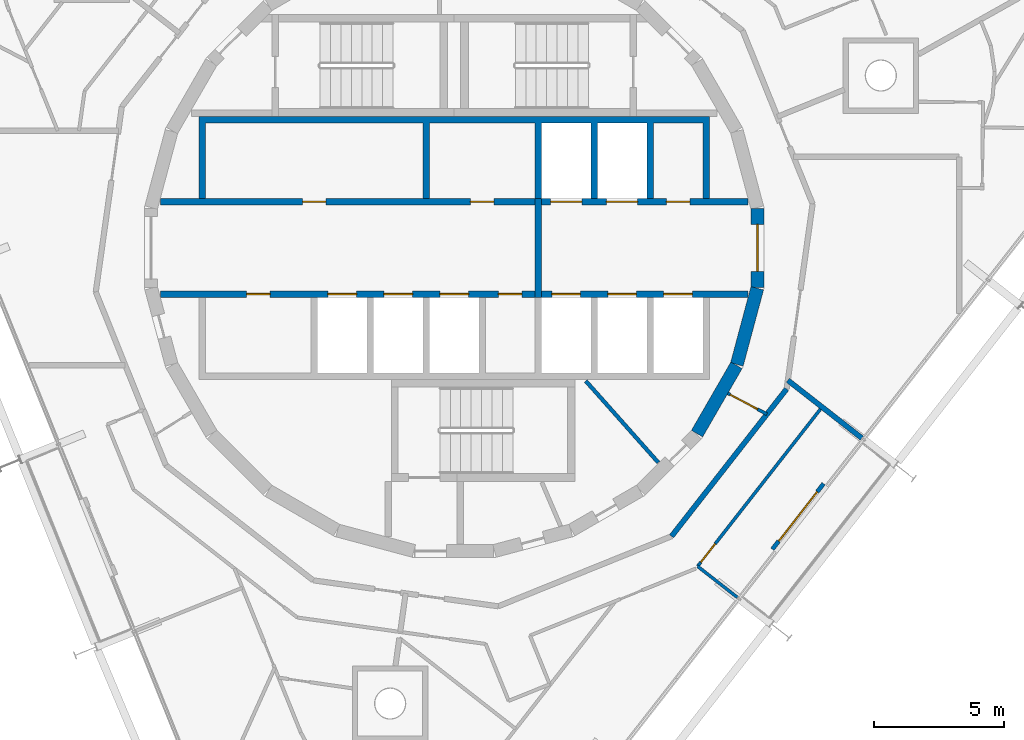
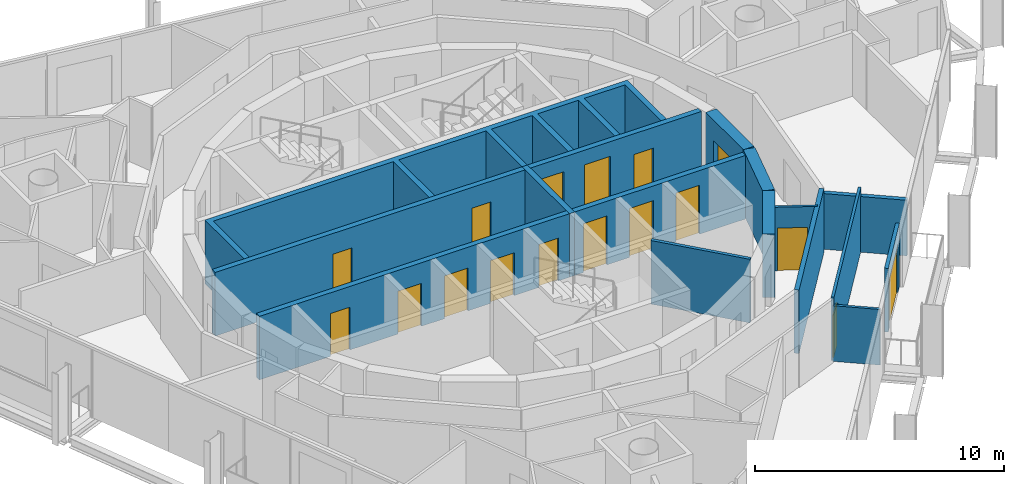
# One storey, part 11 of 15: 17 doors, 16 walls, 17 openings.
"""IFC4 building model written with IfcOpenShell, lengths in metres."""

from ifc_helpers import new_model, si_unit, direction, frame, frame_2d, origin, place, context, subcontext, project, spatial, polyline, rectangle, outline, extrude, material, layer, layer_set, type_object, element, fill, save


model = new_model("IFC4")

# Units and contexts
model_context = context("Model", 3, precision=1e-05, world=origin(), true_north=direction((0.0, 1.0)))
body_context = subcontext(model_context, "Body", "Model", "MODEL_VIEW")
ifc_project = project(units=[si_unit("LENGTHUNIT", "METRE"), si_unit("AREAUNIT", "SQUARE_METRE"), si_unit("VOLUMEUNIT", "CUBIC_METRE"), si_unit("PLANEANGLEUNIT", "RADIAN"), si_unit("MASSUNIT", "GRAM", prefix="KILO")], contexts=[model_context])

# Site, building, storey
site_placement = place(None, origin())
site = spatial("IfcSite", under=ifc_project, at=site_placement, CompositionType="ELEMENT")
building_placement = place(site_placement, origin())
building = spatial("IfcBuilding", under=site, at=building_placement, Name="Spindle Arch Residences", CompositionType="ELEMENT")
storey_placement = place(building_placement, frame((0.0, 0.0, 343.5)))
storey = spatial("IfcBuildingStorey", under=building, at=storey_placement, Name="L88", CompositionType="ELEMENT", Elevation=343.5)

# Walls
ifc_material_1 = material(Name="Concrete C50/60", Category="concrete")
ifc_layer_1 = layer(ifc_material_1, 0.5)
ifc_layer_set_1 = layer_set([ifc_layer_1], Name="Core outline wall 500")
wall_type_1 = type_object("IfcWallType", Name="Core outline wall 500", PredefinedType="SHEAR", material=ifc_layer_set_1)
for number, where, z_axis, x_axis, name in (
    (1, (9.32861328125, -7.13671875, 0.0), (0.0, 0.0, 1.0), (0.500087131594, 0.865975092491, 0.0), "Core outline wall 4"),
    (2, (10.858154296875, -4.479248046875, 0.0), (0.0, 0.0, 1.0), (0.258734743916, 0.965948410781, 0.0), "Core outline wall 5"),
):
    element("IfcWall", number, at=place(storey_placement, frame(where, z_axis=z_axis, x_axis=x_axis)), inside=storey, type_object=wall_type_1, Name=name, PredefinedType="SHEAR", context=body_context, shape_type="SweptSolid", body=[
        extrude(rectangle(XDim=3.03271484375, YDim=0.5, at=frame_2d((1.516357421875, 0.0))), origin(), (0.0, 0.0, 1.0), 3.1201171875),
    ])

# Wall, opening, door
wall_1_placement = place(storey_placement, frame((11.647216796875, -1.516357421875, 0.0), z_axis=(0.0, 0.0, 1.0), x_axis=(0.0, 1.0, 0.0)))
wall_1 = element("IfcWall", 3, at=wall_1_placement, inside=storey, type_object=wall_type_1, Name="Core outline wall 6", PredefinedType="SHEAR", context=body_context, shape_type="SweptSolid", body=[
    extrude(rectangle(XDim=3.03271484375, YDim=0.5, at=frame_2d((1.516357421875, 0.0))), origin(), (0.0, 0.0, 1.0), 3.1201171875),
])
opening_1_placement = place(wall_1_placement, frame((0.6162109375, 0.0, 0.0)))
opening_1 = element("IfcOpeningElement", 4, at=opening_1_placement, cuts=wall_1, Name="Opening R9B1-FE01", PredefinedType="OPENING", context=body_context, shape_type="SweptSolid", body=[
    extrude(rectangle(XDim=1.800048828125, YDim=2.10009765625, at=frame_2d((0.89990234375, 1.050048828125))), frame((0.0, 0.260009765625, 0.0), z_axis=(0.0, -1.0, 0.0), x_axis=(1.0, 0.0, 0.0)), (0.0, 0.0, 1.0), 0.52001953125),
])
ifc_material_2 = material(Name="Steel, fire-resisting door", Category="steel")
door_type_1 = type_object("IfcDoorType", Name="Fire-lift lobby door 1800x2100", OperationType="DOUBLE_DOOR_SINGLE_SWING", PredefinedType="DOOR", material=ifc_material_2)
door_1_placement = place(opening_1_placement, origin())
door_1 = element("IfcDoor", 5, at=door_1_placement, inside=storey, type_object=door_type_1, Name="Fire-lift lobby door R9B1-FE01", OperationType="DOUBLE_DOOR_SINGLE_SWING", OverallHeight=2.10009765625, OverallWidth=1.800048828125, PredefinedType="DOOR", context=body_context, shape_type="SweptSolid", body=[
    extrude(rectangle(XDim=1.800048828125, YDim=2.10009765625, at=frame_2d((0.89990234375, 1.050048828125))), frame((0.0, 0.02490234375, 0.0), z_axis=(0.0, -1.0, 0.0), x_axis=(1.0, 0.0, 0.0)), (0.0, 0.0, 1.0), 0.050048828125),
])
fill(opening_1, door_1)

ifc_material_3 = material(Name="Plasterboard on steel studs", Category="steel")
ifc_layer_2 = layer(ifc_material_3, 0.1201171875)
ifc_layer_set_2 = layer_set([ifc_layer_2], Name="Corridor division wall 120")
wall_type_2 = type_object("IfcWallType", Name="Corridor division wall 120", PredefinedType="PARTITIONING", material=ifc_layer_set_2)
wall_2_placement = place(storey_placement, frame((10.510986328125, -5.5888671875, 0.0), z_axis=(0.0, 0.0, 1.0), x_axis=(0.882959677414, -0.469448834337, 0.0)))
wall_2 = element("IfcWall", 6, at=wall_2_placement, inside=storey, type_object=wall_type_2, Name="Corridor division wall R9B1-W002", PredefinedType="PARTITIONING", context=body_context, shape_type="SweptSolid", body=[
    extrude(rectangle(XDim=1.7021484375, YDim=0.1201171875, at=frame_2d((0.85107421875, 0.0))), origin(), (0.0, 0.0, 1.0), 3.1201171875),
])
opening_2_placement = place(wall_2_placement, frame((0.10009765625, 0.0, 0.0)))
opening_2 = element("IfcOpeningElement", 7, at=opening_2_placement, cuts=wall_2, Name="Opening R9B1-CD02", PredefinedType="OPENING", context=body_context, shape_type="SweptSolid", body=[
    extrude(rectangle(XDim=1.199951171875, YDim=2.10009765625, at=frame_2d((0.60009765625, 1.050048828125))), frame((0.0, 0.070068359375, 0.0), z_axis=(0.0, -1.0, 0.0), x_axis=(1.0, 0.0, 0.0)), (0.0, 0.0, 1.0), 0.14013671875),
])
ifc_material_4 = material(Name="Steel, fire-resisting door", Category="steel")
door_type_2 = type_object("IfcDoorType", Name="Corridor division door 1200x2100", OperationType="NOTDEFINED", PredefinedType="DOOR", material=ifc_material_4)
door_2_placement = place(opening_2_placement, origin())
door_2 = element("IfcDoor", 8, at=door_2_placement, inside=storey, type_object=door_type_2, Name="Corridor division door R9B1-CD02", OperationType="DOUBLE_DOOR_SINGLE_SWING", OverallHeight=2.10009765625, OverallWidth=1.199951171875, PredefinedType="DOOR", context=body_context, shape_type="SweptSolid", body=[
    extrude(rectangle(XDim=1.199951171875, YDim=2.10009765625, at=frame_2d((0.60009765625, 1.050048828125))), frame((0.0, 0.02490234375, 0.0), z_axis=(0.0, -1.0, 0.0), x_axis=(1.0, 0.0, 0.0)), (0.0, 0.0, 1.0), 0.050048828125),
])
fill(opening_2, door_2)

# Walls
ifc_material_5 = material(Name="Calcium silicate block, plastered")
ifc_layer_3 = layer(ifc_material_5, 0.199951171875)
ifc_layer_set_3 = layer_set([ifc_layer_3], Name="Corridor wall 200")
wall_type_3 = type_object("IfcWallType", Name="Corridor wall 200", PredefinedType="STANDARD", material=ifc_layer_set_3)
wall_3_placement = place(storey_placement, frame((8.348876953125, -11.0791015625, 0.0), z_axis=(0.0, 0.0, 1.0), x_axis=(0.615669112324, 0.78800478687, 0.0)))
element("IfcWall", 9, at=wall_3_placement, inside=storey, type_object=wall_type_3, Name="Corridor wall R9B1-W008", PredefinedType="STANDARD", context=body_context, shape_type="SweptSolid", body=[
    extrude(rectangle(XDim=7.18115234375, YDim=0.199951171875, at=frame_2d((3.590576171875, 0.0))), origin(), (0.0, 0.0, 1.0), 3.1201171875),
])
ifc_material_6 = material(Name="Calcium silicate block, plastered")
ifc_layer_4 = layer(ifc_material_6, 0.199951171875)
ifc_layer_set_4 = layer_set([ifc_layer_4], Name="Fire-lift lobby bay wall 200 under beam 2730")
wall_type_4 = type_object("IfcWallType", Name="Fire-lift lobby bay wall 200 under beam 2730", PredefinedType="STANDARD", material=ifc_layer_set_4)
wall_4_placement = place(storey_placement, frame((12.81689453125, -5.086181640625, 0.0), z_axis=(0.0, 0.0, 1.0), x_axis=(0.787994616725, -0.615682129034, 0.0)))
element("IfcWall", 10, at=wall_4_placement, inside=storey, type_object=wall_type_4, Name="Fire-lift lobby bay wall R9B1-W021", PredefinedType="STANDARD", context=body_context, shape_type="SweptSolid", body=[
    extrude(rectangle(XDim=3.607177734375, YDim=0.199951171875, at=frame_2d((1.8037109375, 0.0))), origin(), (0.0, 0.0, 1.0), 2.72998046875),
])

# Wall, openings, doors
ifc_material_7 = material(Name="Concrete C40/50", Category="concrete")
ifc_layer_5 = layer(ifc_material_7, 0.25)
ifc_layer_set_5 = layer_set([ifc_layer_5], Name="Fire-lift lobby wall 250")
wall_type_5 = type_object("IfcWallType", Name="Fire-lift lobby wall 250", PredefinedType="SHEAR", material=ifc_layer_set_5)
wall_5_placement = place(storey_placement, frame((3.35009765625, 1.77490234375, 0.0), z_axis=(0.0, 0.0, 1.0), x_axis=(1.0, 0.0, 0.0)))
wall_5 = element("IfcWall", 11, at=wall_5_placement, inside=storey, type_object=wall_type_5, Name="Lift shaft front wall NE", PredefinedType="SHEAR", context=body_context, shape_type="SweptSolid", body=[
    extrude(rectangle(XDim=7.929931640625, YDim=0.25, at=frame_2d((3.96484375, 0.0))), origin(), (0.0, 0.0, 1.0), 3.1201171875),
])
opening_3_placement = place(wall_5_placement, frame((0.35009765625, 0.0, 0.0)))
opening_3 = element("IfcOpeningElement", 12, at=opening_3_placement, cuts=wall_5, Name="Opening R9B1-SLD01", PredefinedType="OPENING", context=body_context, shape_type="SweptSolid", body=[
    extrude(rectangle(XDim=1.199951171875, YDim=2.39990234375, at=frame_2d((0.60009765625, 1.199951171875))), frame((0.0, 0.135009765625, 0.0), z_axis=(0.0, -1.0, 0.0), x_axis=(1.0, 0.0, 0.0)), (0.0, 0.0, 1.0), 0.27001953125),
])
opening_4_placement = place(wall_5_placement, frame((2.5, 0.0, 0.0)))
opening_4 = element("IfcOpeningElement", 13, at=opening_4_placement, cuts=wall_5, Name="Opening R9B1-SLD02", PredefinedType="OPENING", context=body_context, shape_type="SweptSolid", body=[
    extrude(rectangle(XDim=1.199951171875, YDim=2.39990234375, at=frame_2d((0.60009765625, 1.199951171875))), frame((0.0, 0.135009765625, 0.0), z_axis=(0.0, -1.0, 0.0), x_axis=(1.0, 0.0, 0.0)), (0.0, 0.0, 1.0), 0.27001953125),
])
opening_5_placement = place(wall_5_placement, frame((4.800048828125, 0.0, 0.0)))
opening_5 = element("IfcOpeningElement", 14, at=opening_5_placement, cuts=wall_5, Name="Opening R9B1-WD03", PredefinedType="OPENING", context=body_context, shape_type="SweptSolid", body=[
    extrude(rectangle(XDim=0.89990234375, YDim=2.10009765625, at=frame_2d((0.449951171875, 1.050048828125))), frame((0.0, 0.135009765625, 0.0), z_axis=(0.0, -1.0, 0.0), x_axis=(1.0, 0.0, 0.0)), (0.0, 0.0, 1.0), 0.27001953125),
])
ifc_material_8 = material(Name="Steel, fire-resisting landing door", Category="steel")
door_type_3 = type_object("IfcDoorType", Name="Service lift landing door 1200x2400", OperationType="DOUBLE_DOOR_SLIDING", PredefinedType="DOOR", material=ifc_material_8)
door_3_placement = place(opening_3_placement, origin())
door_3 = element("IfcDoor", 15, at=door_3_placement, inside=storey, type_object=door_type_3, Name="Service lift landing door R9B1-SLD01", OperationType="DOUBLE_DOOR_SLIDING", OverallHeight=2.39990234375, OverallWidth=1.199951171875, PredefinedType="DOOR", context=body_context, shape_type="SweptSolid", body=[
    extrude(rectangle(XDim=1.199951171875, YDim=2.39990234375, at=frame_2d((0.60009765625, 1.199951171875))), frame((0.0, 0.02490234375, 0.0), z_axis=(0.0, -1.0, 0.0), x_axis=(1.0, 0.0, 0.0)), (0.0, 0.0, 1.0), 0.050048828125),
])
fill(opening_3, door_3)
door_4_placement = place(opening_4_placement, origin())
door_4 = element("IfcDoor", 16, at=door_4_placement, inside=storey, type_object=door_type_3, Name="Service lift landing door R9B1-SLD02", OperationType="DOUBLE_DOOR_SLIDING", OverallHeight=2.39990234375, OverallWidth=1.199951171875, PredefinedType="DOOR", context=body_context, shape_type="SweptSolid", body=[
    extrude(rectangle(XDim=1.199951171875, YDim=2.39990234375, at=frame_2d((0.60009765625, 1.199951171875))), frame((0.0, 0.02490234375, 0.0), z_axis=(0.0, -1.0, 0.0), x_axis=(1.0, 0.0, 0.0)), (0.0, 0.0, 1.0), 0.050048828125),
])
fill(opening_4, door_4)
ifc_material_9 = material(Name="Steel, fire-resisting door", Category="steel")
door_type_4 = type_object("IfcDoorType", Name="Service room door 900x2100", OperationType="SINGLE_SWING_LEFT", PredefinedType="DOOR", material=ifc_material_9)
door_5_placement = place(opening_5_placement, origin())
door_5 = element("IfcDoor", 17, at=door_5_placement, inside=storey, type_object=door_type_4, Name="Service room door R9B1-WD03", OperationType="SINGLE_SWING_LEFT", OverallHeight=2.10009765625, OverallWidth=0.89990234375, PredefinedType="DOOR", context=body_context, shape_type="SweptSolid", body=[
    extrude(rectangle(XDim=0.89990234375, YDim=2.10009765625, at=frame_2d((0.449951171875, 1.050048828125))), frame((0.0, 0.02490234375, 0.0), z_axis=(0.0, -1.0, 0.0), x_axis=(1.0, 0.0, 0.0)), (0.0, 0.0, 1.0), 0.050048828125),
])
fill(opening_5, door_5)

# Wall
wall_6_placement = place(storey_placement, frame((3.22509765625, -1.89990234375, 0.0), z_axis=(0.0, 0.0, 1.0), x_axis=(0.0, 1.0, 0.0)))
element("IfcWall", 18, at=wall_6_placement, inside=storey, type_object=wall_type_5, Name="Fire-fighting lobby partition", PredefinedType="SHEAR", context=body_context, shape_type="SweptSolid", body=[
    extrude(rectangle(XDim=3.7998046875, YDim=0.25, at=frame_2d((1.89990234375, 0.0))), origin(), (0.0, 0.0, 1.0), 3.1201171875),
])

# Wall, openings, doors
ifc_material_10 = material(Name="Concrete C50/60", Category="concrete")
ifc_layer_6 = layer(ifc_material_10, 0.25)
ifc_layer_set_6 = layer_set([ifc_layer_6], Name="Fire-lift shaft wall 250")
wall_type_6 = type_object("IfcWallType", Name="Fire-lift shaft wall 250", PredefinedType="SHEAR", material=ifc_layer_set_6)
wall_7_placement = place(storey_placement, frame((3.35009765625, -1.77490234375, 0.0), z_axis=(0.0, 0.0, 1.0), x_axis=(1.0, 0.0, 0.0)))
wall_7 = element("IfcWall", 19, at=wall_7_placement, inside=storey, type_object=wall_type_6, Name="Lift shaft front wall SE", PredefinedType="SHEAR", context=body_context, shape_type="SweptSolid", body=[
    extrude(rectangle(XDim=7.929931640625, YDim=0.25, at=frame_2d((3.96484375, 0.0))), origin(), (0.0, 0.0, 1.0), 3.1201171875),
])
opening_6_placement = place(wall_7_placement, frame((0.39990234375, 0.0, 0.0)))
opening_6 = element("IfcOpeningElement", 20, at=opening_6_placement, cuts=wall_7, Name="Opening R9B1-FLD01", PredefinedType="OPENING", context=body_context, shape_type="SweptSolid", body=[
    extrude(rectangle(XDim=1.10009765625, YDim=2.39990234375, at=frame_2d((0.550048828125, 1.199951171875))), frame((0.0, 0.135009765625, 0.0), z_axis=(0.0, -1.0, 0.0), x_axis=(1.0, 0.0, 0.0)), (0.0, 0.0, 1.0), 0.27001953125),
])
opening_7_placement = place(wall_7_placement, frame((2.550048828125, 0.0, 0.0)))
opening_7 = element("IfcOpeningElement", 21, at=opening_7_placement, cuts=wall_7, Name="Opening R9B1-FLD02", PredefinedType="OPENING", context=body_context, shape_type="SweptSolid", body=[
    extrude(rectangle(XDim=1.10009765625, YDim=2.39990234375, at=frame_2d((0.550048828125, 1.199951171875))), frame((0.0, 0.135009765625, 0.0), z_axis=(0.0, -1.0, 0.0), x_axis=(1.0, 0.0, 0.0)), (0.0, 0.0, 1.0), 0.27001953125),
])
opening_8_placement = place(wall_7_placement, frame((4.699951171875, 0.0, 0.0)))
opening_8 = element("IfcOpeningElement", 22, at=opening_8_placement, cuts=wall_7, Name="Opening R9B1-FLD03", PredefinedType="OPENING", context=body_context, shape_type="SweptSolid", body=[
    extrude(rectangle(XDim=1.10009765625, YDim=2.39990234375, at=frame_2d((0.550048828125, 1.199951171875))), frame((0.0, 0.135009765625, 0.0), z_axis=(0.0, -1.0, 0.0), x_axis=(1.0, 0.0, 0.0)), (0.0, 0.0, 1.0), 0.27001953125),
])
ifc_material_11 = material(Name="Steel, fire-resisting landing door", Category="steel")
door_type_5 = type_object("IfcDoorType", Name="Fire-fighting lift landing door 1100x2400", OperationType="DOUBLE_DOOR_SLIDING", PredefinedType="DOOR", material=ifc_material_11)
door_6_placement = place(opening_6_placement, origin())
door_6 = element("IfcDoor", 23, at=door_6_placement, inside=storey, type_object=door_type_5, Name="Fire-fighting lift landing door R9B1-FLD01", OperationType="DOUBLE_DOOR_SLIDING", OverallHeight=2.39990234375, OverallWidth=1.10009765625, PredefinedType="DOOR", context=body_context, shape_type="SweptSolid", body=[
    extrude(rectangle(XDim=1.10009765625, YDim=2.39990234375, at=frame_2d((0.550048828125, 1.199951171875))), frame((0.0, 0.02490234375, 0.0), z_axis=(0.0, -1.0, 0.0), x_axis=(1.0, 0.0, 0.0)), (0.0, 0.0, 1.0), 0.050048828125),
])
fill(opening_6, door_6)
door_7_placement = place(opening_7_placement, origin())
door_7 = element("IfcDoor", 24, at=door_7_placement, inside=storey, type_object=door_type_5, Name="Fire-fighting lift landing door R9B1-FLD02", OperationType="DOUBLE_DOOR_SLIDING", OverallHeight=2.39990234375, OverallWidth=1.10009765625, PredefinedType="DOOR", context=body_context, shape_type="SweptSolid", body=[
    extrude(rectangle(XDim=1.10009765625, YDim=2.39990234375, at=frame_2d((0.550048828125, 1.199951171875))), frame((0.0, 0.02490234375, 0.0), z_axis=(0.0, -1.0, 0.0), x_axis=(1.0, 0.0, 0.0)), (0.0, 0.0, 1.0), 0.050048828125),
])
fill(opening_7, door_7)
door_8_placement = place(opening_8_placement, origin())
door_8 = element("IfcDoor", 25, at=door_8_placement, inside=storey, type_object=door_type_5, Name="Fire-fighting lift landing door R9B1-FLD03", OperationType="DOUBLE_DOOR_SLIDING", OverallHeight=2.39990234375, OverallWidth=1.10009765625, PredefinedType="DOOR", context=body_context, shape_type="SweptSolid", body=[
    extrude(rectangle(XDim=1.10009765625, YDim=2.39990234375, at=frame_2d((0.550048828125, 1.199951171875))), frame((0.0, 0.02490234375, 0.0), z_axis=(0.0, -1.0, 0.0), x_axis=(1.0, 0.0, 0.0)), (0.0, 0.0, 1.0), 0.050048828125),
])
fill(opening_8, door_8)

# Wall, opening, door
ifc_material_12 = material(Name="Plasterboard on steel studs", Category="steel")
ifc_layer_7 = layer(ifc_material_12, 0.1201171875)
ifc_layer_set_7 = layer_set([ifc_layer_7], Name="Flat partition 120")
wall_type_7 = type_object("IfcWallType", Name="Flat partition 120", PredefinedType="PARTITIONING", material=ifc_layer_set_7)
wall_8_placement = place(storey_placement, frame((9.350830078125, -12.23291015625, 0.0), z_axis=(0.0, 0.0, 1.0), x_axis=(0.615678207218, 0.787997680933, 0.0)))
wall_8 = element("IfcWall", 26, at=wall_8_placement, inside=storey, type_object=wall_type_7, Name="Flat partition R9B1-W088", PredefinedType="PARTITIONING", context=body_context, shape_type="SweptSolid", body=[
    extrude(rectangle(XDim=7.765380859375, YDim=0.1201171875, at=frame_2d((3.8828125, 0.0))), origin(), (0.0, 0.0, 1.0), 3.1201171875),
])
opening_9_placement = place(wall_8_placement, frame((0.199951171875, 0.0, 0.0)))
opening_9 = element("IfcOpeningElement", 27, at=opening_9_placement, cuts=wall_8, Name="Opening R9B1-ID20", PredefinedType="OPENING", context=body_context, shape_type="SweptSolid", body=[
    extrude(rectangle(XDim=0.89990234375, YDim=2.10009765625, at=frame_2d((0.449951171875, 1.050048828125))), frame((0.0, 0.070068359375, 0.0), z_axis=(0.0, -1.0, 0.0), x_axis=(1.0, 0.0, 0.0)), (0.0, 0.0, 1.0), 0.14013671875),
])
ifc_material_13 = material(Name="Timber door set", Category="wood")
door_type_6 = type_object("IfcDoorType", Name="Room door 900x2100", OperationType="NOTDEFINED", PredefinedType="DOOR", material=ifc_material_13)
door_9_placement = place(opening_9_placement, origin())
door_9 = element("IfcDoor", 28, at=door_9_placement, inside=storey, type_object=door_type_6, Name="Room door R9B1-ID20", OperationType="SINGLE_SWING_LEFT", OverallHeight=2.10009765625, OverallWidth=0.89990234375, PredefinedType="DOOR", context=body_context, shape_type="SweptSolid", body=[
    extrude(rectangle(XDim=0.89990234375, YDim=2.10009765625, at=frame_2d((0.449951171875, 1.050048828125))), frame((0.0, 0.02490234375, 0.0), z_axis=(0.0, -1.0, 0.0), x_axis=(1.0, 0.0, 0.0)), (0.0, 0.0, 1.0), 0.050048828125),
])
fill(opening_9, door_9)

# Wall
ifc_material_14 = material(Name="Plasterboard on steel studs", Category="steel")
ifc_layer_8 = layer(ifc_material_14, 0.1201171875)
ifc_layer_set_8 = layer_set([ifc_layer_8], Name="Flat partition 120 under beam 2730")
wall_type_8 = type_object("IfcWallType", Name="Flat partition 120 under beam 2730", PredefinedType="PARTITIONING", material=ifc_layer_set_8)
wall_9_placement = place(storey_placement, frame((10.87841796875, -13.426513671875, 0.0), z_axis=(0.0, 0.0, 1.0), x_axis=(-0.787980458379, 0.615700249483, 0.0)))
element("IfcWall", 29, at=wall_9_placement, inside=storey, type_object=wall_type_8, Name="Flat partition R9B1-W097", PredefinedType="PARTITIONING", context=body_context, shape_type="SweptSolid", body=[
    extrude(rectangle(XDim=1.938720703125, YDim=0.1201171875, at=frame_2d((0.96923828125, 0.0))), origin(), (0.0, 0.0, 1.0), 2.72998046875),
])

# Wall, opening, door
ifc_material_15 = material(Name="Non-combustible mineral wool insulated aluminium faced external wall (K0)", Category="aluminium")
ifc_layer_9 = layer(ifc_material_15, 0.159912109375)
ifc_layer_set_9 = layer_set([ifc_layer_9], Name="Insulated external wall panel 160")
wall_type_9 = type_object("IfcWallType", Name="Insulated external wall panel 160", PredefinedType="STANDARD", material=ifc_layer_set_9)
wall_10_placement = place(storey_placement, frame((12.220703125, -11.578369140625, 0.0), z_axis=(0.0, 0.0, 1.0), x_axis=(0.615666248856, 0.788007024093, 0.0)))
wall_10 = element("IfcWall", 30, at=wall_10_placement, inside=storey, type_object=wall_type_9, Name="External wall L88 bay 20", PredefinedType="STANDARD", context=body_context, shape_type="SweptSolid", body=[
    extrude(rectangle(XDim=3.2001953125, YDim=0.159912109375, at=frame_2d((1.60009765625, 0.0))), origin(), (0.0, 0.0, 1.0), 3.1201171875),
])
opening_10_placement = place(wall_10_placement, frame((0.39990234375, 0.0, 0.0)))
opening_10 = element("IfcOpeningElement", 31, at=opening_10_placement, cuts=wall_10, Name="Opening BD20", PredefinedType="OPENING", context=body_context, shape_type="SweptSolid", body=[
    extrude(rectangle(XDim=2.39990234375, YDim=2.39990234375, at=frame_2d((1.199951171875, 1.199951171875))), frame((0.0, 0.08984375, 0.0), z_axis=(0.0, -1.0, 0.0), x_axis=(1.0, 0.0, 0.0)), (0.0, 0.0, 1.0), 0.179931640625),
])
ifc_material_16 = material(Name="Bronze aluminium frame, tinted double glazing", Category="aluminium")
door_type_7 = type_object("IfcDoorType", Name="Sliding glazed balcony door 2400x2400", OperationType="DOUBLE_DOOR_SLIDING", PredefinedType="DOOR", material=ifc_material_16)
door_10_placement = place(opening_10_placement, origin())
door_10 = element("IfcDoor", 32, at=door_10_placement, inside=storey, type_object=door_type_7, Name="Balcony door BD20", OperationType="DOUBLE_DOOR_SLIDING", OverallHeight=2.39990234375, OverallWidth=2.39990234375, PredefinedType="DOOR", context=body_context, shape_type="SweptSolid", body=[
    extrude(rectangle(XDim=2.39990234375, YDim=2.39990234375, at=frame_2d((1.199951171875, 1.199951171875))), frame((0.0, 0.02490234375, 0.0), z_axis=(0.0, -1.0, 0.0), x_axis=(1.0, 0.0, 0.0)), (0.0, 0.0, 1.0), 0.050048828125),
])
fill(opening_10, door_10)

# Wall, openings, doors
ifc_material_17 = material(Name="Concrete C50/60", Category="concrete")
ifc_layer_10 = layer(ifc_material_17, 0.25)
ifc_layer_set_10 = layer_set([ifc_layer_10], Name="Lift shaft wall 250")
wall_type_10 = type_object("IfcWallType", Name="Lift shaft wall 250", PredefinedType="SHEAR", material=ifc_layer_set_10)
wall_11_placement = place(storey_placement, frame((-11.280029296875, 1.77490234375, 0.0), z_axis=(0.0, 0.0, 1.0), x_axis=(1.0, 0.0, 0.0)))
wall_11 = element("IfcWall", 33, at=wall_11_placement, inside=storey, type_object=wall_type_10, Name="Lift shaft front wall NW", PredefinedType="SHEAR", context=body_context, shape_type="SweptSolid", body=[
    extrude(rectangle(XDim=14.380126953125, YDim=0.25, at=frame_2d((7.18994140625, 0.0))), origin(), (0.0, 0.0, 1.0), 3.1201171875),
])
opening_11_placement = place(wall_11_placement, frame((5.455078125, 0.0, 0.0)))
opening_11 = element("IfcOpeningElement", 34, at=opening_11_placement, cuts=wall_11, Name="Opening R9B1-WD01", PredefinedType="OPENING", context=body_context, shape_type="SweptSolid", body=[
    extrude(rectangle(XDim=0.89990234375, YDim=2.10009765625, at=frame_2d((0.449951171875, 1.050048828125))), frame((0.0, 0.135009765625, 0.0), z_axis=(0.0, -1.0, 0.0), x_axis=(1.0, 0.0, 0.0)), (0.0, 0.0, 1.0), 0.27001953125),
])
opening_12_placement = place(wall_11_placement, frame((11.905029296875, 0.0, 0.0)))
opening_12 = element("IfcOpeningElement", 35, at=opening_12_placement, cuts=wall_11, Name="Opening R9B1-WD02", PredefinedType="OPENING", context=body_context, shape_type="SweptSolid", body=[
    extrude(rectangle(XDim=0.89990234375, YDim=2.10009765625, at=frame_2d((0.449951171875, 1.050048828125))), frame((0.0, 0.135009765625, 0.0), z_axis=(0.0, -1.0, 0.0), x_axis=(1.0, 0.0, 0.0)), (0.0, 0.0, 1.0), 0.27001953125),
])
door_11_placement = place(opening_11_placement, origin())
door_11 = element("IfcDoor", 36, at=door_11_placement, inside=storey, type_object=door_type_4, Name="Service room door R9B1-WD01", OperationType="SINGLE_SWING_LEFT", OverallHeight=2.10009765625, OverallWidth=0.89990234375, PredefinedType="DOOR", context=body_context, shape_type="SweptSolid", body=[
    extrude(rectangle(XDim=0.89990234375, YDim=2.10009765625, at=frame_2d((0.449951171875, 1.050048828125))), frame((0.0, 0.02490234375, 0.0), z_axis=(0.0, -1.0, 0.0), x_axis=(1.0, 0.0, 0.0)), (0.0, 0.0, 1.0), 0.050048828125),
])
fill(opening_11, door_11)
door_12_placement = place(opening_12_placement, origin())
door_12 = element("IfcDoor", 37, at=door_12_placement, inside=storey, type_object=door_type_4, Name="Service room door R9B1-WD02", OperationType="SINGLE_SWING_RIGHT", OverallHeight=2.10009765625, OverallWidth=0.89990234375, PredefinedType="DOOR", context=body_context, shape_type="SweptSolid", body=[
    extrude(rectangle(XDim=0.89990234375, YDim=2.10009765625, at=frame_2d((0.449951171875, 1.050048828125))), frame((0.0, 0.02490234375, 0.0), z_axis=(0.0, -1.0, 0.0), x_axis=(1.0, 0.0, 0.0)), (0.0, 0.0, 1.0), 0.050048828125),
])
fill(opening_12, door_12)

wall_12_placement = place(storey_placement, frame((-11.280029296875, -1.77490234375, 0.0), z_axis=(0.0, 0.0, 1.0), x_axis=(1.0, 0.0, 0.0)))
wall_12 = element("IfcWall", 38, at=wall_12_placement, inside=storey, type_object=wall_type_10, Name="Lift shaft front wall SW", PredefinedType="SHEAR", context=body_context, shape_type="SweptSolid", body=[
    extrude(rectangle(XDim=14.380126953125, YDim=0.25, at=frame_2d((7.18994140625, 0.0))), origin(), (0.0, 0.0, 1.0), 3.1201171875),
])
opening_13_placement = place(wall_12_placement, frame((6.429931640625, 0.0, 0.0)))
opening_13 = element("IfcOpeningElement", 39, at=opening_13_placement, cuts=wall_12, Name="Opening R9B1-LD01", PredefinedType="OPENING", context=body_context, shape_type="SweptSolid", body=[
    extrude(rectangle(XDim=1.10009765625, YDim=2.10009765625, at=frame_2d((0.550048828125, 1.050048828125))), frame((0.0, 0.135009765625, 0.0), z_axis=(0.0, -1.0, 0.0), x_axis=(1.0, 0.0, 0.0)), (0.0, 0.0, 1.0), 0.27001953125),
])
opening_14_placement = place(wall_12_placement, frame((8.580078125, 0.0, 0.0)))
opening_14 = element("IfcOpeningElement", 40, at=opening_14_placement, cuts=wall_12, Name="Opening R9B1-LD02", PredefinedType="OPENING", context=body_context, shape_type="SweptSolid", body=[
    extrude(rectangle(XDim=1.10009765625, YDim=2.10009765625, at=frame_2d((0.550048828125, 1.050048828125))), frame((0.0, 0.135009765625, 0.0), z_axis=(0.0, -1.0, 0.0), x_axis=(1.0, 0.0, 0.0)), (0.0, 0.0, 1.0), 0.27001953125),
])
opening_15_placement = place(wall_12_placement, frame((10.72998046875, 0.0, 0.0)))
opening_15 = element("IfcOpeningElement", 41, at=opening_15_placement, cuts=wall_12, Name="Opening R9B1-LD03", PredefinedType="OPENING", context=body_context, shape_type="SweptSolid", body=[
    extrude(rectangle(XDim=1.10009765625, YDim=2.10009765625, at=frame_2d((0.550048828125, 1.050048828125))), frame((0.0, 0.135009765625, 0.0), z_axis=(0.0, -1.0, 0.0), x_axis=(1.0, 0.0, 0.0)), (0.0, 0.0, 1.0), 0.27001953125),
])
opening_16_placement = place(wall_12_placement, frame((3.304931640625, 0.0, 0.0)))
opening_16 = element("IfcOpeningElement", 42, at=opening_16_placement, cuts=wall_12, Name="Opening R9B1-WD04", PredefinedType="OPENING", context=body_context, shape_type="SweptSolid", body=[
    extrude(rectangle(XDim=0.89990234375, YDim=2.10009765625, at=frame_2d((0.449951171875, 1.050048828125))), frame((0.0, 0.135009765625, 0.0), z_axis=(0.0, -1.0, 0.0), x_axis=(1.0, 0.0, 0.0)), (0.0, 0.0, 1.0), 0.27001953125),
])
opening_17_placement = place(wall_12_placement, frame((12.97998046875, 0.0, 0.0)))
opening_17 = element("IfcOpeningElement", 43, at=opening_17_placement, cuts=wall_12, Name="Opening R9B1-WD05", PredefinedType="OPENING", context=body_context, shape_type="SweptSolid", body=[
    extrude(rectangle(XDim=0.89990234375, YDim=2.10009765625, at=frame_2d((0.449951171875, 1.050048828125))), frame((0.0, 0.135009765625, 0.0), z_axis=(0.0, -1.0, 0.0), x_axis=(1.0, 0.0, 0.0)), (0.0, 0.0, 1.0), 0.27001953125),
])
ifc_material_18 = material(Name="Steel, fire-resisting landing door", Category="steel")
door_type_8 = type_object("IfcDoorType", Name="Lift landing door 1100x2100", OperationType="DOUBLE_DOOR_SLIDING", PredefinedType="DOOR", material=ifc_material_18)
door_13_placement = place(opening_13_placement, origin())
door_13 = element("IfcDoor", 44, at=door_13_placement, inside=storey, type_object=door_type_8, Name="Lift landing door R9B1-LD01", OperationType="DOUBLE_DOOR_SLIDING", OverallHeight=2.10009765625, OverallWidth=1.10009765625, PredefinedType="DOOR", context=body_context, shape_type="SweptSolid", body=[
    extrude(rectangle(XDim=1.10009765625, YDim=2.10009765625, at=frame_2d((0.550048828125, 1.050048828125))), frame((0.0, 0.02490234375, 0.0), z_axis=(0.0, -1.0, 0.0), x_axis=(1.0, 0.0, 0.0)), (0.0, 0.0, 1.0), 0.050048828125),
])
fill(opening_13, door_13)
door_14_placement = place(opening_14_placement, origin())
door_14 = element("IfcDoor", 45, at=door_14_placement, inside=storey, type_object=door_type_8, Name="Lift landing door R9B1-LD02", OperationType="DOUBLE_DOOR_SLIDING", OverallHeight=2.10009765625, OverallWidth=1.10009765625, PredefinedType="DOOR", context=body_context, shape_type="SweptSolid", body=[
    extrude(rectangle(XDim=1.10009765625, YDim=2.10009765625, at=frame_2d((0.550048828125, 1.050048828125))), frame((0.0, 0.02490234375, 0.0), z_axis=(0.0, -1.0, 0.0), x_axis=(1.0, 0.0, 0.0)), (0.0, 0.0, 1.0), 0.050048828125),
])
fill(opening_14, door_14)
door_15_placement = place(opening_15_placement, origin())
door_15 = element("IfcDoor", 46, at=door_15_placement, inside=storey, type_object=door_type_8, Name="Lift landing door R9B1-LD03", OperationType="DOUBLE_DOOR_SLIDING", OverallHeight=2.10009765625, OverallWidth=1.10009765625, PredefinedType="DOOR", context=body_context, shape_type="SweptSolid", body=[
    extrude(rectangle(XDim=1.10009765625, YDim=2.10009765625, at=frame_2d((0.550048828125, 1.050048828125))), frame((0.0, 0.02490234375, 0.0), z_axis=(0.0, -1.0, 0.0), x_axis=(1.0, 0.0, 0.0)), (0.0, 0.0, 1.0), 0.050048828125),
])
fill(opening_15, door_15)
door_16_placement = place(opening_16_placement, origin())
door_16 = element("IfcDoor", 47, at=door_16_placement, inside=storey, type_object=door_type_4, Name="Service room door R9B1-WD04", OperationType="SINGLE_SWING_RIGHT", OverallHeight=2.10009765625, OverallWidth=0.89990234375, PredefinedType="DOOR", context=body_context, shape_type="SweptSolid", body=[
    extrude(rectangle(XDim=0.89990234375, YDim=2.10009765625, at=frame_2d((0.449951171875, 1.050048828125))), frame((0.0, 0.02490234375, 0.0), z_axis=(0.0, -1.0, 0.0), x_axis=(1.0, 0.0, 0.0)), (0.0, 0.0, 1.0), 0.050048828125),
])
fill(opening_16, door_16)
door_17_placement = place(opening_17_placement, origin())
door_17 = element("IfcDoor", 48, at=door_17_placement, inside=storey, type_object=door_type_4, Name="Service room door R9B1-WD05", OperationType="SINGLE_SWING_LEFT", OverallHeight=2.10009765625, OverallWidth=0.89990234375, PredefinedType="DOOR", context=body_context, shape_type="SweptSolid", body=[
    extrude(rectangle(XDim=0.89990234375, YDim=2.10009765625, at=frame_2d((0.449951171875, 1.050048828125))), frame((0.0, 0.02490234375, 0.0), z_axis=(0.0, -1.0, 0.0), x_axis=(1.0, 0.0, 0.0)), (0.0, 0.0, 1.0), 0.050048828125),
])
fill(opening_17, door_17)

# Walls
ifc_material_19 = material(Name="Concrete C50/60", Category="concrete")
wall_type_11 = type_object("IfcWallType", Name="Lift shaft wall profile", PredefinedType="SHEAR", material=ifc_material_19)
wall_13_placement = place(storey_placement, origin())
element("IfcWall", 49, at=wall_13_placement, inside=storey, type_object=wall_type_11, Name="Lift shaft walls N", PredefinedType="SHEAR", context=body_context, shape_type="SweptSolid", body=[
    extrude(outline(polyline([(-9.800048828125, 1.89990234375), (-9.550048828125, 1.89990234375), (-9.550048828125, 4.800048828125), (-1.199951171875, 4.800048828125), (-1.199951171875, 1.89990234375), (-0.949951171875, 1.89990234375), (-0.949951171875, 4.800048828125), (3.10009765625, 4.800048828125), (3.10009765625, 1.89990234375), (3.35009765625, 1.89990234375), (3.35009765625, 4.800048828125), (5.25, 4.800048828125), (5.25, 1.89990234375), (5.5, 1.89990234375), (5.5, 4.800048828125), (7.39990234375, 4.800048828125), (7.39990234375, 1.89990234375), (7.64990234375, 1.89990234375), (7.64990234375, 4.800048828125), (9.550048828125, 4.800048828125), (9.550048828125, 1.89990234375), (9.800048828125, 1.89990234375), (9.800048828125, 4.800048828125), (9.800048828125, 5.050048828125), (-9.800048828125, 5.050048828125), (-9.800048828125, 4.800048828125), (-9.800048828125, 1.89990234375)])), origin(), (0.0, 0.0, 1.0), 3.1201171875),
])
ifc_material_20 = material(Name="Concrete C25/30", Category="concrete")
ifc_layer_11 = layer(ifc_material_20, 0.14990234375)
ifc_layer_set_11 = layer_set([ifc_layer_11], Name="Service room partition 150")
wall_type_12 = type_object("IfcWallType", Name="Service room partition 150", PredefinedType="PARTITIONING", material=ifc_layer_set_11)
wall_14_placement = place(storey_placement, frame((7.84228515625, -8.24755859375, 0.0), z_axis=(0.0, 0.0, 1.0), x_axis=(-0.66446128181, 0.747322691329, 0.0)))
element("IfcWall", 50, at=wall_14_placement, inside=storey, type_object=wall_type_12, Name="Core service room partition", PredefinedType="PARTITIONING", context=body_context, shape_type="SweptSolid", body=[
    extrude(rectangle(XDim=4.198486328125, YDim=0.14990234375, at=frame_2d((2.09912109375, 0.0))), origin(), (0.0, 0.0, 1.0), 3.1201171875),
])

save(model, "model.ifc")
